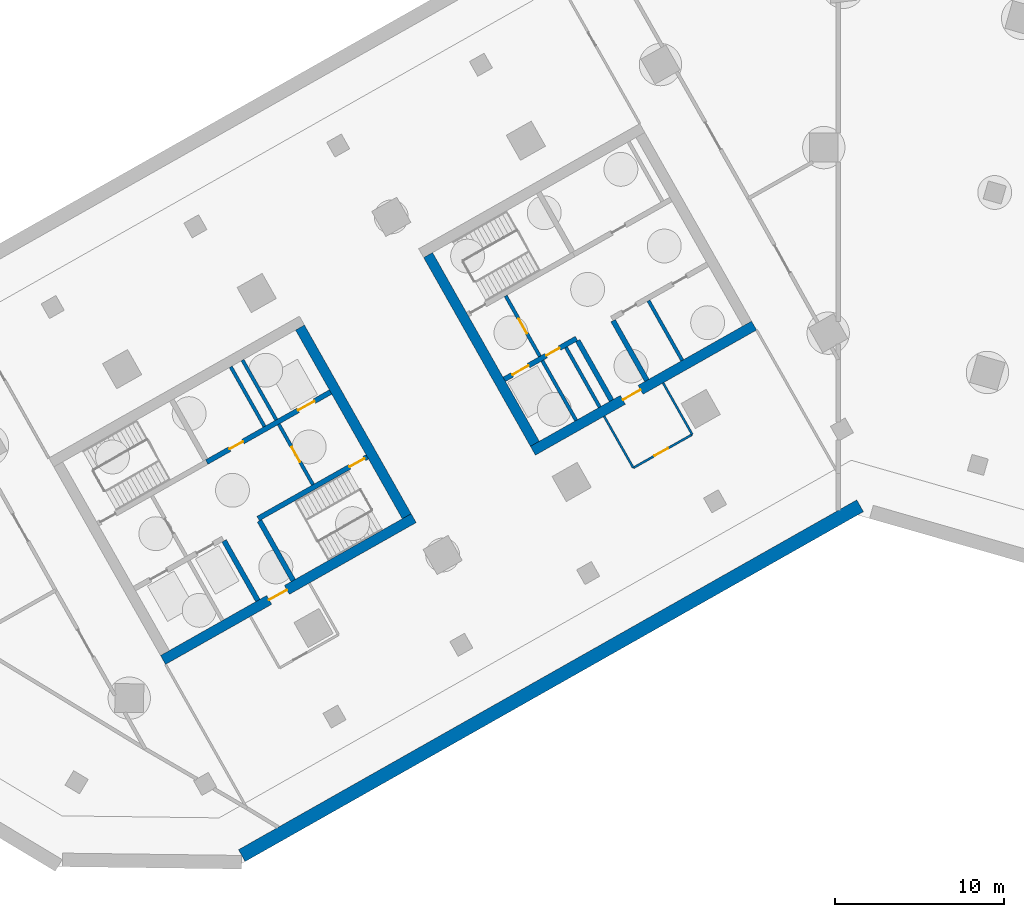
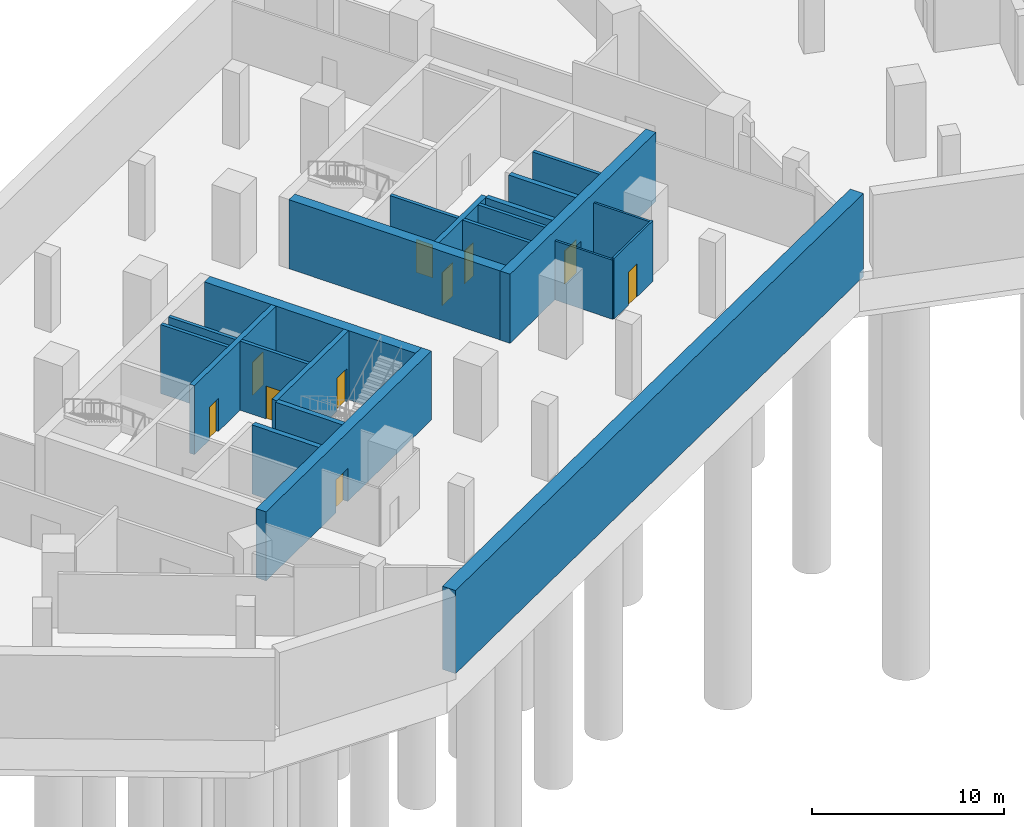
# One storey, part 3 of 11: 22 walls, 10 doors, 10 openings.
"""IFC4 building model written with IfcOpenShell, lengths in metres."""

from ifc_helpers import new_model, si_unit, direction, frame, frame_2d, origin, place, context, subcontext, project, spatial, rectangle, extrude, material, layer, layer_set, type_object, element, fill, save


model = new_model("IFC4")

# Units and contexts
model_context = context("Model", 3, precision=1e-05, world=origin(), true_north=direction((0.0, 1.0)))
body_context = subcontext(model_context, "Body", "Model", "MODEL_VIEW")
ifc_project = project(units=[si_unit("LENGTHUNIT", "METRE"), si_unit("AREAUNIT", "SQUARE_METRE"), si_unit("VOLUMEUNIT", "CUBIC_METRE"), si_unit("PLANEANGLEUNIT", "RADIAN"), si_unit("MASSUNIT", "GRAM", prefix="KILO")], contexts=[model_context])

# Site, building, storey
site_placement = place(None, origin())
site = spatial("IfcSite", under=ifc_project, at=site_placement, CompositionType="ELEMENT")
building_placement = place(site_placement, origin())
building = spatial("IfcBuilding", under=site, at=building_placement, Name="Binnacle Exchange Tower", CompositionType="ELEMENT")
storey_placement = place(building_placement, frame((0.0, 0.0, -9.60009765625)))
storey = spatial("IfcBuildingStorey", under=building, at=storey_placement, Name="B2", CompositionType="ELEMENT", Elevation=-9.60009765625)

# Walls
ifc_material_1 = material(Name="Concrete C40/50", Category="concrete")
ifc_layer_1 = layer(ifc_material_1, 0.800048828125)
ifc_layer_set_1 = layer_set([ifc_layer_1], Name="Basement retaining wall 800 Concrete C40/50")
wall_type_1 = type_object("IfcWallType", Name="Basement retaining wall 800 Concrete C40/50", PredefinedType="SOLIDWALL", material=ifc_layer_set_1)
wall_1_placement = place(storey_placement, frame((-35.21142578125, 18.197265625, -0.5), z_axis=(0.0, 0.0, 1.0), x_axis=(0.870356230452, 0.492422615355, 0.0)))
element("IfcWall", 1, at=wall_1_placement, inside=storey, type_object=wall_type_1, Name="S:RW:B2:08", PredefinedType="SOLIDWALL", context=body_context, shape_type="SweptSolid", body=[
    extrude(rectangle(XDim=41.940673828125, YDim=0.800048828125, at=frame_2d((20.97021484375, 0.0))), origin(), (0.0, 0.0, 1.0), 5.300048828125),
])
ifc_material_2 = material(Name="Gypsum partition fire rated")
ifc_layer_2 = layer(ifc_material_2, 0.199951171875)
ifc_layer_set_2 = layer_set([ifc_layer_2], Name="Core partition 200")
wall_type_2 = type_object("IfcWallType", Name="Core partition 200", PredefinedType="PARTITIONING", material=ifc_layer_set_2)
wall_2_placement = place(storey_placement, frame((-11.201904296875, 50.96240234375, 0.0), z_axis=(0.0, 0.0, 1.0), x_axis=(0.49241474071, -0.870360685654, 0.0)))
element("IfcWall", 2, at=wall_2_placement, inside=storey, type_object=wall_type_2, Name="Core wall CRWC19", PredefinedType="PARTITIONING", context=body_context, shape_type="SweptSolid", body=[
    extrude(rectangle(XDim=4.05029296875, YDim=0.199951171875, at=frame_2d((2.025146484375, 0.0))), origin(), (0.0, 0.0, 1.0), 4.400146484375),
])

# Wall, openings, doors
ifc_material_3 = material(Name="Concrete C70/85", Category="concrete")
ifc_layer_3 = layer(ifc_material_3, 0.300048828125)
ifc_layer_set_3 = layer_set([ifc_layer_3], Name="Core wall - front 300")
wall_type_3 = type_object("IfcWallType", Name="Core wall - front 300", PredefinedType="SOLIDWALL", material=ifc_layer_set_3)
wall_3_placement = place(storey_placement, frame((-37.281982421875, 41.4345703125, 0.0), z_axis=(0.0, 0.0, 1.0), x_axis=(0.870356516133, 0.492422110414, 0.0)))
wall_3 = element("IfcWall", 3, at=wall_3_placement, inside=storey, type_object=wall_type_3, Name="Core wall CRWA5", PredefinedType="SOLIDWALL", context=body_context, shape_type="SweptSolid", body=[
    extrude(rectangle(XDim=8.399658203125, YDim=0.300048828125, at=frame_2d((4.19970703125, 0.0))), origin(), (0.0, 0.0, 1.0), 4.400146484375),
])
opening_1_placement = place(wall_3_placement, frame((6.199951171875, 0.0, 0.0)))
opening_1 = element("IfcOpeningElement", 4, at=opening_1_placement, cuts=wall_3, Name="Opening LD13", PredefinedType="OPENING", context=body_context, shape_type="SweptSolid", body=[
    extrude(rectangle(XDim=1.10009765625, YDim=2.10009765625, at=frame_2d((0.550048828125, 1.050048828125))), frame((0.0, 0.159912109375, 0.0), z_axis=(0.0, -1.0, 0.0), x_axis=(1.0, 0.0, 0.0)), (0.0, 0.0, 1.0), 0.320068359375),
])
opening_2_placement = place(wall_3_placement, frame((1.550048828125, 0.0, 0.0)))
opening_2 = element("IfcOpeningElement", 5, at=opening_2_placement, cuts=wall_3, Name="Opening DA10", PredefinedType="OPENING", context=body_context, shape_type="SweptSolid", body=[
    extrude(rectangle(XDim=0.89990234375, YDim=2.10009765625, at=frame_2d((0.449951171875, 1.050048828125))), frame((0.0, 0.159912109375, 0.0), z_axis=(0.0, -1.0, 0.0), x_axis=(1.0, 0.0, 0.0)), (0.0, 0.0, 1.0), 0.320068359375),
])
ifc_material_4 = material(Name="Steel door leaf", Category="steel")
door_type_1 = type_object("IfcDoorType", Name="Fire door - lift landing 1100", OperationType="NOTDEFINED", PredefinedType="DOOR", material=ifc_material_4)
door_1_placement = place(opening_1_placement, origin())
door_1 = element("IfcDoor", 6, at=door_1_placement, inside=storey, type_object=door_type_1, Name="Landing door LD13 B2", OperationType="DOUBLE_DOOR_SLIDING", OverallHeight=2.10009765625, OverallWidth=1.10009765625, PredefinedType="DOOR", context=body_context, shape_type="SweptSolid", body=[
    extrude(rectangle(XDim=1.10009765625, YDim=2.10009765625, at=frame_2d((0.550048828125, 1.050048828125))), frame((0.0, 0.02490234375, 0.0), z_axis=(0.0, -1.0, 0.0), x_axis=(1.0, 0.0, 0.0)), (0.0, 0.0, 1.0), 0.050048828125),
])
fill(opening_1, door_1)
door_type_2 = type_object("IfcDoorType", Name="Fire door 900", OperationType="NOTDEFINED", PredefinedType="DOOR", material=ifc_material_4)
door_2_placement = place(opening_2_placement, origin())
door_2 = element("IfcDoor", 7, at=door_2_placement, inside=storey, type_object=door_type_2, Name="Core room door EQUIPMENT STORE", OperationType="SINGLE_SWING_LEFT", OverallHeight=2.10009765625, OverallWidth=0.89990234375, PredefinedType="DOOR", context=body_context, shape_type="SweptSolid", body=[
    extrude(rectangle(XDim=0.89990234375, YDim=2.10009765625, at=frame_2d((0.449951171875, 1.050048828125))), frame((0.0, 0.02490234375, 0.0), z_axis=(0.0, -1.0, 0.0), x_axis=(1.0, 0.0, 0.0)), (0.0, 0.0, 1.0), 0.050048828125),
])
fill(opening_2, door_2)

# Wall
wall_4_placement = place(storey_placement, frame((-36.260009765625, 36.784912109375, 0.0), z_axis=(0.0, 0.0, 1.0), x_axis=(0.492440575896, -0.870346068648, 0.0)))
element("IfcWall", 8, at=wall_4_placement, inside=storey, type_object=wall_type_3, Name="Core wall CRWA13", PredefinedType="SOLIDWALL", context=body_context, shape_type="SweptSolid", body=[
    extrude(rectangle(XDim=4.050048828125, YDim=0.300048828125, at=frame_2d((2.02490234375, 0.0))), origin(), (0.0, 0.0, 1.0), 4.400146484375),
])

# Wall, openings, doors
wall_5_placement = place(storey_placement, frame((-19.718017578125, 46.31640625, 0.0), z_axis=(0.0, 0.0, 1.0), x_axis=(0.870353963862, 0.492426621528, 0.0)))
wall_5 = element("IfcWall", 9, at=wall_5_placement, inside=storey, type_object=wall_type_3, Name="Core wall CRWC2", PredefinedType="SOLIDWALL", context=body_context, shape_type="SweptSolid", body=[
    extrude(rectangle(XDim=4.89990234375, YDim=0.300048828125, at=frame_2d((2.449951171875, 0.0))), origin(), (0.0, 0.0, 1.0), 4.400146484375),
])
opening_3_placement = place(wall_5_placement, frame((0.550048828125, 0.0, 0.0)))
opening_3 = element("IfcOpeningElement", 10, at=opening_3_placement, cuts=wall_5, Name="Opening LD14", PredefinedType="OPENING", context=body_context, shape_type="SweptSolid", body=[
    extrude(rectangle(XDim=1.10009765625, YDim=2.10009765625, at=frame_2d((0.550048828125, 1.050048828125))), frame((0.0, 0.159912109375, 0.0), z_axis=(0.0, -1.0, 0.0), x_axis=(1.0, 0.0, 0.0)), (0.0, 0.0, 1.0), 0.320068359375),
])
opening_4_placement = place(wall_5_placement, frame((2.85009765625, 0.0, 0.0)))
opening_4 = element("IfcOpeningElement", 11, at=opening_4_placement, cuts=wall_5, Name="Opening DC14", PredefinedType="OPENING", context=body_context, shape_type="SweptSolid", body=[
    extrude(rectangle(XDim=0.89990234375, YDim=2.10009765625, at=frame_2d((0.449951171875, 1.050048828125))), frame((0.0, 0.159912109375, 0.0), z_axis=(0.0, -1.0, 0.0), x_axis=(1.0, 0.0, 0.0)), (0.0, 0.0, 1.0), 0.320068359375),
])
door_3_placement = place(opening_3_placement, origin())
door_3 = element("IfcDoor", 12, at=door_3_placement, inside=storey, type_object=door_type_1, Name="Landing door LD14 B2", OperationType="DOUBLE_DOOR_SLIDING", OverallHeight=2.10009765625, OverallWidth=1.10009765625, PredefinedType="DOOR", context=body_context, shape_type="SweptSolid", body=[
    extrude(rectangle(XDim=1.10009765625, YDim=2.10009765625, at=frame_2d((0.550048828125, 1.050048828125))), frame((0.0, 0.02490234375, 0.0), z_axis=(0.0, -1.0, 0.0), x_axis=(1.0, 0.0, 0.0)), (0.0, 0.0, 1.0), 0.050048828125),
])
fill(opening_3, door_3)
door_4_placement = place(opening_4_placement, frame((0.89990234375, 0.0, 0.0), z_axis=(0.0, 0.0, 1.0), x_axis=(-1.0, 0.0, 0.0)))
door_4 = element("IfcDoor", 13, at=door_4_placement, inside=storey, type_object=door_type_2, Name="Core room door CLEANERS STORE", OperationType="SINGLE_SWING_LEFT", OverallHeight=2.10009765625, OverallWidth=0.89990234375, PredefinedType="DOOR", context=body_context, shape_type="SweptSolid", body=[
    extrude(rectangle(XDim=0.89990234375, YDim=2.10009765625, at=frame_2d((0.449951171875, 1.050048828125))), frame((0.0, 0.02490234375, 0.0), z_axis=(0.0, -1.0, 0.0), x_axis=(1.0, 0.0, 0.0)), (0.0, 0.0, 1.0), 0.050048828125),
])
fill(opening_4, door_4)

# Walls
for number, where, z_axis, x_axis, name in (
    (14, (-15.37939453125, 48.5986328125, 0.0), (0.0, 0.0, 1.0), (0.492394910396, -0.870371904542, 0.0), "Core wall CRWC13"),
    (15, (-13.29052734375, 49.780517578125, 0.0), (0.0, 0.0, 1.0), (0.492394910396, -0.870371904542, 0.0), "Core wall CRWC15"),
):
    element("IfcWall", number, at=place(storey_placement, frame(where, z_axis=z_axis, x_axis=x_axis)), inside=storey, type_object=wall_type_3, Name=name, PredefinedType="SOLIDWALL", context=body_context, shape_type="SweptSolid", body=[
        extrude(rectangle(XDim=4.0498046875, YDim=0.300048828125, at=frame_2d((2.02490234375, 0.0))), origin(), (0.0, 0.0, 1.0), 4.400146484375),
    ])

# Wall, opening, door
ifc_layer_4 = layer(ifc_material_3, 0.60009765625)
ifc_layer_set_4 = layer_set([ifc_layer_4], Name="Core wall - outer 600")
wall_type_4 = type_object("IfcWallType", Name="Core wall - outer 600", PredefinedType="SOLIDWALL", material=ifc_layer_set_4)
wall_6_placement = place(storey_placement, frame((-39.8623046875, 29.748779296875, 0.0), z_axis=(0.0, 0.0, 1.0), x_axis=(0.870350116061, 0.492433422375, 0.0)))
wall_6 = element("IfcWall", 16, at=wall_6_placement, inside=storey, type_object=wall_type_4, Name="Core wall CRWA1", PredefinedType="SOLIDWALL", context=body_context, shape_type="SweptSolid", body=[
    extrude(rectangle(XDim=17.0, YDim=0.60009765625, at=frame_2d((8.5, 0.0))), origin(), (0.0, 0.0, 1.0), 4.400146484375),
])
opening_5_placement = place(wall_6_placement, frame((7.199951171875, 0.0, 0.0)))
opening_5 = element("IfcOpeningElement", 17, at=opening_5_placement, cuts=wall_6, Name="Opening DA7", PredefinedType="OPENING", context=body_context, shape_type="SweptSolid", body=[
    extrude(rectangle(XDim=1.199951171875, YDim=2.10009765625, at=frame_2d((0.60009765625, 1.050048828125))), frame((0.0, 0.31005859375, 0.0), z_axis=(0.0, -1.0, 0.0), x_axis=(1.0, 0.0, 0.0)), (0.0, 0.0, 1.0), 0.6201171875),
])
door_type_3 = type_object("IfcDoorType", Name="Fire door 1200", OperationType="NOTDEFINED", PredefinedType="DOOR", material=ifc_material_4)
door_5_placement = place(opening_5_placement, frame((1.199951171875, 0.0, 0.0), z_axis=(0.0, 0.0, 1.0), x_axis=(-1.0, 0.0, 0.0)))
door_5 = element("IfcDoor", 18, at=door_5_placement, inside=storey, type_object=door_type_3, Name="Lift lobby entrance door core A", OperationType="SINGLE_SWING_RIGHT", OverallHeight=2.10009765625, OverallWidth=1.199951171875, PredefinedType="DOOR", context=body_context, shape_type="SweptSolid", body=[
    extrude(rectangle(XDim=1.199951171875, YDim=2.10009765625, at=frame_2d((0.60009765625, 1.050048828125))), frame((0.0, 0.02490234375, 0.0), z_axis=(0.0, -1.0, 0.0), x_axis=(1.0, 0.0, 0.0)), (0.0, 0.0, 1.0), 0.050048828125),
])
fill(opening_5, door_5)

# Wall
wall_7_placement = place(storey_placement, frame((-31.7783203125, 49.3740234375, 0.0), z_axis=(0.0, 0.0, 1.0), x_axis=(0.492433046652, -0.870350328641, 0.0)))
element("IfcWall", 19, at=wall_7_placement, inside=storey, type_object=wall_type_4, Name="Core wall CRWA22", PredefinedType="SOLIDWALL", context=body_context, shape_type="SweptSolid", body=[
    extrude(rectangle(XDim=12.800048828125, YDim=0.60009765625, at=frame_2d((6.39990234375, 0.0))), origin(), (0.0, 0.0, 1.0), 4.400146484375),
])

# Wall, opening, door
wall_8_placement = place(storey_placement, frame((-18.0244140625, 42.104248046875, 0.0), z_axis=(0.0, 0.0, 1.0), x_axis=(0.870360574057, 0.492414937962, 0.0)))
wall_8 = element("IfcWall", 20, at=wall_8_placement, inside=storey, type_object=wall_type_4, Name="Core wall CRWC1", PredefinedType="SOLIDWALL", context=body_context, shape_type="SweptSolid", body=[
    extrude(rectangle(XDim=15.0, YDim=0.60009765625, at=frame_2d((7.5, 0.0))), origin(), (0.0, 0.0, 1.0), 4.400146484375),
])
opening_6_placement = place(wall_8_placement, frame((6.10009765625, 0.0, 0.0)))
opening_6 = element("IfcOpeningElement", 21, at=opening_6_placement, cuts=wall_8, Name="Opening DC7", PredefinedType="OPENING", context=body_context, shape_type="SweptSolid", body=[
    extrude(rectangle(XDim=1.199951171875, YDim=2.10009765625, at=frame_2d((0.60009765625, 1.050048828125))), frame((0.0, 0.31005859375, 0.0), z_axis=(0.0, -1.0, 0.0), x_axis=(1.0, 0.0, 0.0)), (0.0, 0.0, 1.0), 0.6201171875),
])
door_6_placement = place(opening_6_placement, frame((1.199951171875, 0.0, 0.0), z_axis=(0.0, 0.0, 1.0), x_axis=(-1.0, 0.0, 0.0)))
door_6 = element("IfcDoor", 22, at=door_6_placement, inside=storey, type_object=door_type_3, Name="Lift lobby entrance door core C", OperationType="SINGLE_SWING_RIGHT", OverallHeight=2.10009765625, OverallWidth=1.199951171875, PredefinedType="DOOR", context=body_context, shape_type="SweptSolid", body=[
    extrude(rectangle(XDim=1.199951171875, YDim=2.10009765625, at=frame_2d((0.60009765625, 1.050048828125))), frame((0.0, 0.02490234375, 0.0), z_axis=(0.0, -1.0, 0.0), x_axis=(1.0, 0.0, 0.0)), (0.0, 0.0, 1.0), 0.050048828125),
])
fill(opening_6, door_6)

# Wall
wall_9_placement = place(storey_placement, frame((-24.214111328125, 53.653564453125, 0.0), z_axis=(0.0, 0.0, 1.0), x_axis=(0.492441221355, -0.870345703448, 0.0)))
element("IfcWall", 23, at=wall_9_placement, inside=storey, type_object=wall_type_4, Name="Core wall CRWC7", PredefinedType="SOLIDWALL", context=body_context, shape_type="SweptSolid", body=[
    extrude(rectangle(XDim=12.800048828125, YDim=0.60009765625, at=frame_2d((6.39990234375, 0.0))), origin(), (0.0, 0.0, 1.0), 4.400146484375),
])

# Wall, opening, door
ifc_layer_5 = layer(ifc_material_3, 0.300048828125)
ifc_layer_set_5 = layer_set([ifc_layer_5], Name="Core wall - stair 300")
wall_type_5 = type_object("IfcWallType", Name="Core wall - stair 300", PredefinedType="SOLIDWALL", material=ifc_layer_set_5)
wall_10_placement = place(storey_placement, frame((-34.2451171875, 38.097412109375, 0.0), z_axis=(0.0, 0.0, 1.0), x_axis=(0.870364910201, 0.492407273597, 0.0)))
wall_10 = element("IfcWall", 24, at=wall_10_placement, inside=storey, type_object=wall_type_5, Name="Core wall CRWA3", PredefinedType="SOLIDWALL", context=body_context, shape_type="SweptSolid", body=[
    extrude(rectangle(XDim=7.39990234375, YDim=0.300048828125, at=frame_2d((3.699951171875, 0.0))), origin(), (0.0, 0.0, 1.0), 4.400146484375),
])
opening_7_placement = place(wall_10_placement, frame((6.199951171875, 0.0, 0.0)))
opening_7 = element("IfcOpeningElement", 25, at=opening_7_placement, cuts=wall_10, Name="Opening DA2", PredefinedType="OPENING", context=body_context, shape_type="SweptSolid", body=[
    extrude(rectangle(XDim=1.0, YDim=2.10009765625, at=frame_2d((0.5, 1.050048828125))), frame((0.0, 0.159912109375, 0.0), z_axis=(0.0, -1.0, 0.0), x_axis=(1.0, 0.0, 0.0)), (0.0, 0.0, 1.0), 0.320068359375),
])
door_type_4 = type_object("IfcDoorType", Name="Fire door 1000", OperationType="NOTDEFINED", PredefinedType="DOOR", material=ifc_material_4)
door_7_placement = place(opening_7_placement, frame((1.0, 0.0, 0.0), z_axis=(0.0, 0.0, 1.0), x_axis=(-1.0, 0.0, 0.0)))
door_7 = element("IfcDoor", 26, at=door_7_placement, inside=storey, type_object=door_type_4, Name="Stair door ST-A2", OperationType="SINGLE_SWING_LEFT", OverallHeight=2.10009765625, OverallWidth=1.0, PredefinedType="DOOR", context=body_context, shape_type="SweptSolid", body=[
    extrude(rectangle(XDim=1.0, YDim=2.10009765625, at=frame_2d((0.5, 1.050048828125))), frame((0.0, 0.02490234375, 0.0), z_axis=(0.0, -1.0, 0.0), x_axis=(1.0, 0.0, 0.0)), (0.0, 0.0, 1.0), 0.050048828125),
])
fill(opening_7, door_7)

# Wall
wall_11_placement = place(storey_placement, frame((-34.171142578125, 37.966796875, 0.0), z_axis=(0.0, 0.0, 1.0), x_axis=(0.492394910396, -0.870371904542, 0.0)))
element("IfcWall", 27, at=wall_11_placement, inside=storey, type_object=wall_type_5, Name="Core wall CRWA16", PredefinedType="SOLIDWALL", context=body_context, shape_type="SweptSolid", body=[
    extrude(rectangle(XDim=4.0498046875, YDim=0.300048828125, at=frame_2d((2.02490234375, 0.0))), origin(), (0.0, 0.0, 1.0), 4.400146484375),
])

# Wall, opening, door
ifc_material_5 = material(Name="Masonry block wall", Category="masonry")
ifc_layer_6 = layer(ifc_material_5, 0.199951171875)
ifc_layer_set_6 = layer_set([ifc_layer_6], Name="Fire wall - vestibule 200")
wall_type_6 = type_object("IfcWallType", Name="Fire wall - vestibule 200", PredefinedType="PARTITIONING", material=ifc_layer_set_6)
wall_12_placement = place(storey_placement, frame((-33.030517578125, 43.66748046875, 0.0), z_axis=(0.0, 0.0, 1.0), x_axis=(0.492408451753, -0.87036424366, 0.0)))
wall_12 = element("IfcWall", 28, at=wall_12_placement, inside=storey, type_object=wall_type_6, Name="Core wall CRWA19", PredefinedType="PARTITIONING", context=body_context, shape_type="SweptSolid", body=[
    extrude(rectangle(XDim=4.099853515625, YDim=0.199951171875, at=frame_2d((2.0498046875, 0.0))), origin(), (0.0, 0.0, 1.0), 4.400146484375),
])
opening_8_placement = place(wall_12_placement, frame((1.550048828125, 0.0, 0.0)))
opening_8 = element("IfcOpeningElement", 29, at=opening_8_placement, cuts=wall_12, Name="Opening DA4", PredefinedType="OPENING", context=body_context, shape_type="SweptSolid", body=[
    extrude(rectangle(XDim=1.0, YDim=2.10009765625, at=frame_2d((0.5, 1.050048828125))), frame((0.0, 0.10986328125, 0.0), z_axis=(0.0, -1.0, 0.0), x_axis=(1.0, 0.0, 0.0)), (0.0, 0.0, 1.0), 0.219970703125),
])
door_8_placement = place(opening_8_placement, origin())
door_8 = element("IfcDoor", 30, at=door_8_placement, inside=storey, type_object=door_type_4, Name="Vestibule door VEST-E", OperationType="SINGLE_SWING_RIGHT", OverallHeight=2.10009765625, OverallWidth=1.0, PredefinedType="DOOR", context=body_context, shape_type="SweptSolid", body=[
    extrude(rectangle(XDim=1.0, YDim=2.10009765625, at=frame_2d((0.5, 1.050048828125))), frame((0.0, 0.02490234375, 0.0), z_axis=(0.0, -1.0, 0.0), x_axis=(1.0, 0.0, 0.0)), (0.0, 0.0, 1.0), 0.050048828125),
])
fill(opening_8, door_8)

wall_13_placement = place(storey_placement, frame((-19.635009765625, 51.246337890625, 0.0), z_axis=(0.0, 0.0, 1.0), x_axis=(0.492408451753, -0.87036424366, 0.0)))
wall_13 = element("IfcWall", 31, at=wall_13_placement, inside=storey, type_object=wall_type_6, Name="Core wall CRWC10", PredefinedType="PARTITIONING", context=body_context, shape_type="SweptSolid", body=[
    extrude(rectangle(XDim=4.099853515625, YDim=0.199951171875, at=frame_2d((2.0498046875, 0.0))), origin(), (0.0, 0.0, 1.0), 4.400146484375),
])
opening_9_placement = place(wall_13_placement, frame((1.550048828125, 0.0, 0.0)))
opening_9 = element("IfcOpeningElement", 32, at=opening_9_placement, cuts=wall_13, Name="Opening DC3", PredefinedType="OPENING", context=body_context, shape_type="SweptSolid", body=[
    extrude(rectangle(XDim=1.0, YDim=2.10009765625, at=frame_2d((0.5, 1.050048828125))), frame((0.0, 0.10986328125, 0.0), z_axis=(0.0, -1.0, 0.0), x_axis=(1.0, 0.0, 0.0)), (0.0, 0.0, 1.0), 0.219970703125),
])
door_9_placement = place(opening_9_placement, frame((1.0, 0.0, 0.0), z_axis=(0.0, 0.0, 1.0), x_axis=(-1.0, 0.0, 0.0)))
door_9 = element("IfcDoor", 33, at=door_9_placement, inside=storey, type_object=door_type_4, Name="Vestibule door VEST-W", OperationType="SINGLE_SWING_RIGHT", OverallHeight=2.10009765625, OverallWidth=1.0, PredefinedType="DOOR", context=body_context, shape_type="SweptSolid", body=[
    extrude(rectangle(XDim=1.0, YDim=2.10009765625, at=frame_2d((0.5, 1.050048828125))), frame((0.0, 0.02490234375, 0.0), z_axis=(0.0, -1.0, 0.0), x_axis=(1.0, 0.0, 0.0)), (0.0, 0.0, 1.0), 0.050048828125),
])
fill(opening_9, door_9)

# Wall
ifc_material_6 = material(Name="Gypsum partition")
ifc_layer_7 = layer(ifc_material_6, 0.125)
ifc_layer_set_7 = layer_set([ifc_layer_7], Name="Partition 125")
wall_type_7 = type_object("IfcWallType", Name="Partition 125", PredefinedType="PARTITIONING", material=ifc_layer_set_7)
wall_14_placement = place(storey_placement, frame((-13.822021484375, 44.136962890625, 0.0), z_axis=(0.0, 0.0, 1.0), x_axis=(0.492604200384, -0.870253469837, 0.0)))
element("IfcWall", 34, at=wall_14_placement, inside=storey, type_object=wall_type_7, Name="Partition W17", PredefinedType="PARTITIONING", context=body_context, shape_type="SweptSolid", body=[
    extrude(rectangle(XDim=3.5, YDim=0.125, at=frame_2d((1.75, 0.0))), origin(), (0.0, 0.0, 1.0), 3.76806640625),
])

# Wall, opening, door
wall_15_placement = place(storey_placement, frame((-12.097900390625, 41.091064453125, 0.0), z_axis=(0.0, 0.0, 1.0), x_axis=(0.870297830159, 0.492525823506, 0.0)))
wall_15 = element("IfcWall", 35, at=wall_15_placement, inside=storey, type_object=wall_type_7, Name="Partition W19", PredefinedType="PARTITIONING", context=body_context, shape_type="SweptSolid", body=[
    extrude(rectangle(XDim=3.999755859375, YDim=0.125, at=frame_2d((2.0, 0.0))), origin(), (0.0, 0.0, 1.0), 3.8740234375),
])
opening_10_placement = place(wall_15_placement, frame((1.449951171875, 0.0, 0.0)))
opening_10 = element("IfcOpeningElement", 36, at=opening_10_placement, cuts=wall_15, Name="Opening DB2-02", PredefinedType="OPENING", context=body_context, shape_type="SweptSolid", body=[
    extrude(rectangle(XDim=0.89990234375, YDim=2.10009765625, at=frame_2d((0.449951171875, 1.050048828125))), frame((0.0, 0.072509765625, 0.0), z_axis=(0.0, -1.0, 0.0), x_axis=(1.0, 0.0, 0.0)), (0.0, 0.0, 1.0), 0.14501953125),
])
ifc_material_7 = material(Name="Timber door leaf", Category="wood")
door_type_5 = type_object("IfcDoorType", Name="Door 900", OperationType="NOTDEFINED", PredefinedType="DOOR", material=ifc_material_7)
door_10_placement = place(opening_10_placement, origin())
door_10 = element("IfcDoor", 37, at=door_10_placement, inside=storey, type_object=door_type_5, Name="Door DB2-02", OperationType="SINGLE_SWING_LEFT", OverallHeight=2.10009765625, OverallWidth=0.89990234375, PredefinedType="DOOR", context=body_context, shape_type="SweptSolid", body=[
    extrude(rectangle(XDim=0.89990234375, YDim=2.10009765625, at=frame_2d((0.449951171875, 1.050048828125))), frame((0.0, 0.02490234375, 0.0), z_axis=(0.0, -1.0, 0.0), x_axis=(1.0, 0.0, 0.0)), (0.0, 0.0, 1.0), 0.050048828125),
])
fill(opening_10, door_10)

# Walls
wall_16_placement = place(storey_placement, frame((-10.340087890625, 46.10693359375, 0.0), z_axis=(0.0, 0.0, 1.0), x_axis=(0.492392845909, -0.87037307248, 0.0)))
element("IfcWall", 38, at=wall_16_placement, inside=storey, type_object=wall_type_7, Name="Partition W20", PredefinedType="PARTITIONING", context=body_context, shape_type="SweptSolid", body=[
    extrude(rectangle(XDim=3.49951171875, YDim=0.125, at=frame_2d((1.749755859375, 0.0))), origin(), (0.0, 0.0, 1.0), 3.76806640625),
])
ifc_layer_8 = layer(ifc_material_5, 0.199951171875)
ifc_layer_set_8 = layer_set([ifc_layer_8], Name="Riser wall 200")
wall_type_8 = type_object("IfcWallType", Name="Riser wall 200", PredefinedType="SOLIDWALL", material=ifc_layer_set_8)
wall_17_placement = place(storey_placement, frame((-35.868896484375, 47.059814453125, 0.0), z_axis=(0.0, 0.0, 1.0), x_axis=(0.49241474071, -0.870360685654, 0.0)))
element("IfcWall", 39, at=wall_17_placement, inside=storey, type_object=wall_type_8, Name="Core wall CRWA18", PredefinedType="SOLIDWALL", context=body_context, shape_type="SweptSolid", body=[
    extrude(rectangle(XDim=4.05029296875, YDim=0.199951171875, at=frame_2d((2.025146484375, 0.0))), origin(), (0.0, 0.0, 1.0), 4.400146484375),
])
wall_18_placement = place(storey_placement, frame((-35.172607421875, 47.45361328125, 0.0), z_axis=(0.0, 0.0, 1.0), x_axis=(0.492440575896, -0.870346068648, 0.0)))
element("IfcWall", 40, at=wall_18_placement, inside=storey, type_object=wall_type_8, Name="Core wall CRWA20", PredefinedType="SOLIDWALL", context=body_context, shape_type="SweptSolid", body=[
    extrude(rectangle(XDim=4.050048828125, YDim=0.199951171875, at=frame_2d((2.02490234375, 0.0))), origin(), (0.0, 0.0, 1.0), 4.400146484375),
])
wall_19_placement = place(storey_placement, frame((-16.07568359375, 48.20458984375, 0.0), z_axis=(0.0, 0.0, 1.0), x_axis=(0.492394910396, -0.870371904542, 0.0)))
element("IfcWall", 41, at=wall_19_placement, inside=storey, type_object=wall_type_8, Name="Core wall CRWC12", PredefinedType="SOLIDWALL", context=body_context, shape_type="SweptSolid", body=[
    extrude(rectangle(XDim=4.0498046875, YDim=0.199951171875, at=frame_2d((2.02490234375, 0.0))), origin(), (0.0, 0.0, 1.0), 4.400146484375),
])
ifc_layer_9 = layer(ifc_material_5, 0.199951171875)
ifc_layer_set_9 = layer_set([ifc_layer_9], Name="Shaft wall 200")
wall_type_9 = type_object("IfcWallType", Name="Shaft wall 200", PredefinedType="SOLIDWALL", material=ifc_layer_set_9)
wall_20_placement = place(storey_placement, frame((-17.468505859375, 47.416748046875, 0.0), z_axis=(0.0, 0.0, 1.0), x_axis=(0.492440575896, -0.870346068648, 0.0)))
element("IfcWall", 42, at=wall_20_placement, inside=storey, type_object=wall_type_9, Name="Core wall CRWC9", PredefinedType="SOLIDWALL", context=body_context, shape_type="SweptSolid", body=[
    extrude(rectangle(XDim=4.050048828125, YDim=0.199951171875, at=frame_2d((2.02490234375, 0.0))), origin(), (0.0, 0.0, 1.0), 4.400146484375),
])

save(model, "model.ifc")
